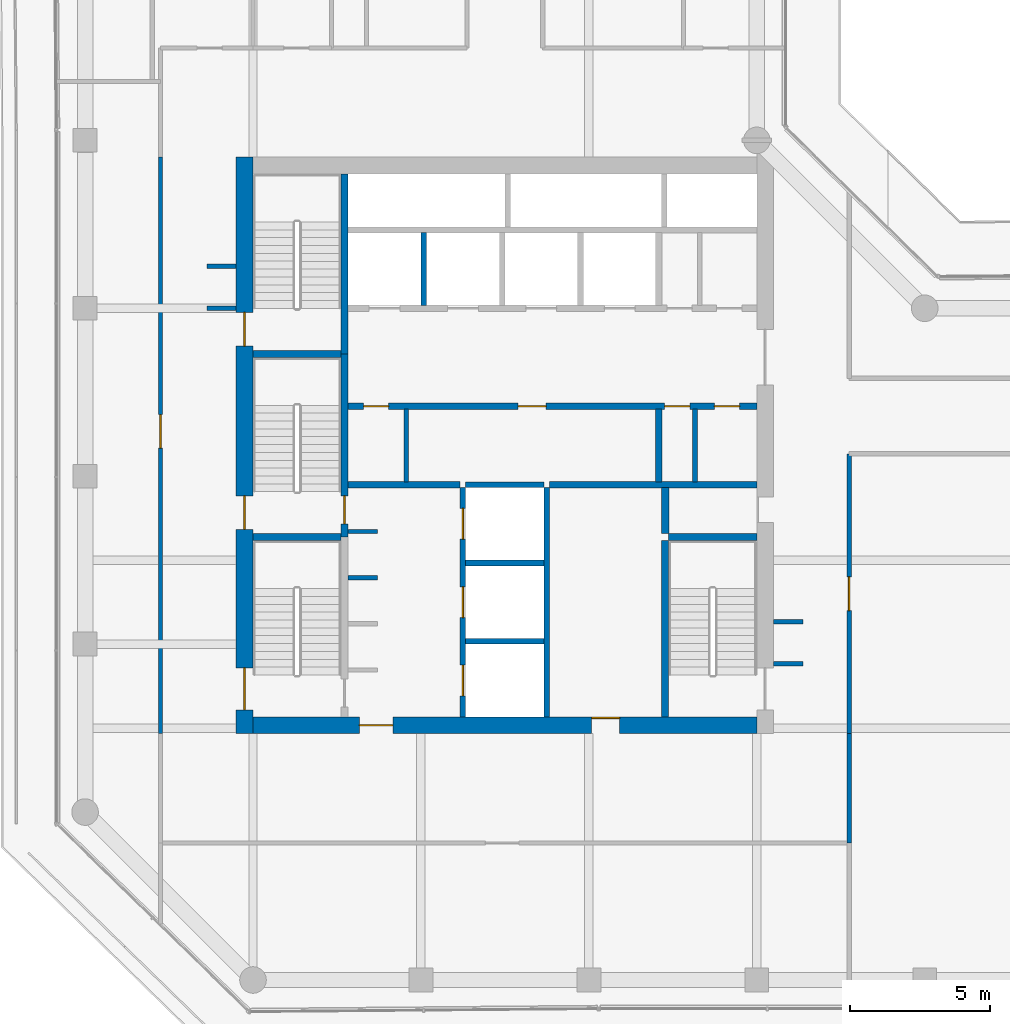
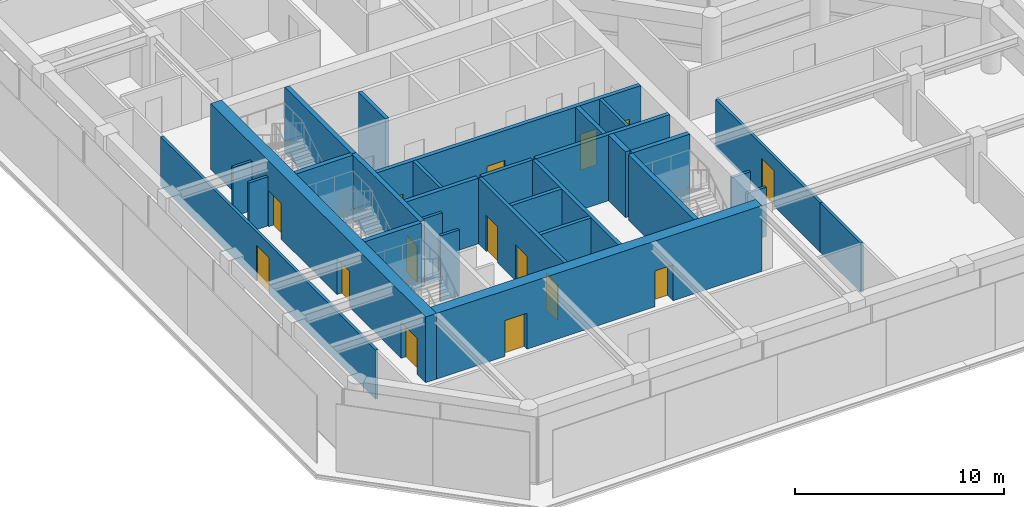
# One storey, part 15 of 19: 30 walls, 15 doors, 15 openings.
"""IFC4 building model written with IfcOpenShell, lengths in metres."""

import ifcopenshell
import ifcopenshell.guid

model = None  # the IFC model being written
_history = None  # IfcOwnerHistory: only IFC2X3 demands one
_inside = {}  # id of a spatial element -> (the spatial element, [elements in it])
_under = {}  # id of a project, library or spatial element -> (it, [spatial elements below it])
_declared = {}  # id of a project -> (the project, [libraries it declares])
_typed = {}  # id of a type object -> (the type object, [elements of that type])
_made_of = {}  # id of a material, layer set ... -> (it, [elements and type objects made of it])


def new_model(schema):
    """Start an empty IFC model of exactly this schema.

    Asked for "IFC4X3", IfcOpenShell would pick the latest addendum, in which some entities
    have other attributes; the version numbers below select the first issue.
    IFC2X3 requires an IfcOwnerHistory on every rooted entity: one is made here for all.
    """
    global model, _history
    if schema == "IFC4X3":
        model = ifcopenshell.file(schema_version=(4, 3, 0, 0))
    else:
        model = ifcopenshell.file(schema=schema)
    _inside.clear()
    _under.clear()
    _declared.clear()
    _typed.clear()
    _made_of.clear()
    _history = None
    if model.schema == "IFC2X3":
        org = make("IfcOrganization", Name="unknown")
        user = make(
            "IfcPersonAndOrganization",
            ThePerson=make("IfcPerson", FamilyName="unknown"),
            TheOrganization=org,
        )
        app = make(
            "IfcApplication",
            ApplicationDeveloper=org,
            Version="unknown",
            ApplicationFullName="unknown",
            ApplicationIdentifier="unknown",
        )
        _history = make(
            "IfcOwnerHistory",
            OwningUser=user,
            OwningApplication=app,
            ChangeAction="ADDED",
            CreationDate=0,
        )
    return model


def make(cls, **values):
    """One entity of the class cls with the attributes given. An attribute that is None is left unset."""
    return model.create_entity(
        cls, **{name: value for name, value in values.items() if value is not None}
    )


def rooted(cls, **values):
    """An entity with a GlobalId (a new one), such as an element, a storey or a relation."""
    return make(cls, GlobalId=ifcopenshell.guid.new(), OwnerHistory=_history, **values)


def si_unit(unit_type, name, prefix=None):
    """IfcSIUnit, for example si_unit("LENGTHUNIT", "METRE", prefix="MILLI")."""
    return make("IfcSIUnit", UnitType=unit_type, Prefix=prefix, Name=name)


def assignment(units):
    """IfcUnitAssignment: the units of a project."""
    return None if units is None else make("IfcUnitAssignment", Units=units)


def point(xyz):
    """IfcCartesianPoint."""
    return None if xyz is None else make("IfcCartesianPoint", Coordinates=xyz)


def direction(xyz):
    """IfcDirection."""
    return None if xyz is None else make("IfcDirection", DirectionRatios=xyz)


def frame(location, z_axis=None, x_axis=None):
    """IfcAxis2Placement3D, a coordinate frame: its origin and axes. An axis left out is left unset."""
    return make(
        "IfcAxis2Placement3D",
        Location=point(location),
        Axis=direction(z_axis),
        RefDirection=direction(x_axis),
    )


def frame_2d(location, x_axis=None):
    """IfcAxis2Placement2D, a coordinate frame in the plane: its origin and x axis."""
    return make(
        "IfcAxis2Placement2D", Location=point(location), RefDirection=direction(x_axis)
    )


def origin():
    """The frame at (0, 0, 0) with its axes left unset."""
    return frame((0.0, 0.0, 0.0))


def place(relative_to, where):
    """IfcLocalPlacement: puts the frame where relative to a parent placement (None: the world)."""
    return make(
        "IfcLocalPlacement", PlacementRelTo=relative_to, RelativePlacement=where
    )


def context(
    kind, dimensions, precision=None, world=None, true_north=None, identifier=None
):
    """IfcGeometricRepresentationContext, for example the 3D "Model" context."""
    return make(
        "IfcGeometricRepresentationContext",
        ContextIdentifier=identifier,
        ContextType=kind,
        CoordinateSpaceDimension=dimensions,
        Precision=precision,
        WorldCoordinateSystem=world,
        TrueNorth=true_north,
    )


def subcontext(parent, identifier, kind, view, scale=None):
    """IfcGeometricRepresentationSubContext, for example "Body" below "Model"."""
    return make(
        "IfcGeometricRepresentationSubContext",
        ContextIdentifier=identifier,
        ContextType=kind,
        ParentContext=parent,
        TargetScale=scale,
        TargetView=view,
    )


def project(units=None, contexts=None):
    """IfcProject with its units and contexts."""
    return rooted(
        "IfcProject",
        Name="project",
        RepresentationContexts=contexts,
        UnitsInContext=assignment(units),
    )


def spatial(cls, under=None, at=None, **own):
    """A site, building, storey or space (cls), placed at a placement, below another one or the project."""
    s = rooted(cls, ObjectPlacement=at, **own)
    if under is not None:
        _under.setdefault(under.id(), (under, []))[1].append(s)
    return s


def profile(cls, at=None, kind="AREA", **sizes):
    """A parametric profile (cls). Its sizes go by their IFC names, for example OverallWidth=200.0."""
    return make(cls, ProfileType=kind, Position=at, **sizes)


def rectangle(**sizes):
    """IfcRectangleProfileDef."""
    return profile("IfcRectangleProfileDef", **sizes)


def extrude(swept, where, along, depth):
    """IfcExtrudedAreaSolid: the profile swept, set in the frame where, extruded along a direction by depth."""
    return make(
        "IfcExtrudedAreaSolid",
        SweptArea=swept,
        Position=where,
        ExtrudedDirection=direction(along),
        Depth=depth,
    )


def shape(context_of_items, identifier, shape_type, items):
    """IfcShapeRepresentation: the items that make up one representation, for example the "Body"."""
    return make(
        "IfcShapeRepresentation",
        ContextOfItems=context_of_items,
        RepresentationIdentifier=identifier,
        RepresentationType=shape_type,
        Items=items,
    )


def material(Name=None, Category=None):
    """IfcMaterial."""
    return make("IfcMaterial", Name=Name, Category=Category)


def layer(
    of_material, thickness, ventilated=None, Name=None, Category=None, Priority=None
):
    """IfcMaterialLayer: one layer of a wall or slab, of a material (None: an air gap)."""
    return make(
        "IfcMaterialLayer",
        Material=of_material,
        LayerThickness=thickness,
        IsVentilated=ventilated,
        Name=Name,
        Category=Category,
        Priority=Priority,
    )


def layer_set(layers, Name=None):
    """IfcMaterialLayerSet."""
    return make("IfcMaterialLayerSet", MaterialLayers=layers, LayerSetName=Name)


def made_of(thing, what):
    """Note that an element or type object is made of a material, layer set ...; save() writes the relation."""
    if what is not None:
        _made_of.setdefault(what.id(), (what, []))[1].append(thing)
    return thing


def type_object(cls, material=None, **own):
    """A type object (cls), such as IfcWallType, which elements share."""
    return made_of(rooted(cls, **own), material)


def element(
    cls,
    number,
    at=None,
    inside=None,
    cuts=None,
    type_object=None,
    material=None,
    context=None,
    identifier="Body",
    shape_type=None,
    held_by="IfcProductDefinitionShape",
    body=None,
    shapes=None,
    **own,
):
    """One element of the class cls, such as IfcWall. Its Tag is "e" and its number.

    at: its placement. inside: the storey or other place that contains it. cuts: it is an
    opening in that element (IfcRelVoidsElement). A single representation is given by context,
    identifier, shape_type and body (its items); several are given by shapes. held_by: the class
    of the entity that holds the representations. save() writes the other relations.
    """
    e = rooted(cls, Tag="e%d" % number, ObjectPlacement=at, **own)
    if body is not None:
        shapes = [shape(context, identifier, shape_type, body)]
    if shapes is not None:
        e.Representation = make(held_by, Representations=shapes)
    if inside is not None:
        _inside.setdefault(inside.id(), (inside, []))[1].append(e)
    if cuts is not None:
        rooted(
            "IfcRelVoidsElement", RelatingBuildingElement=cuts, RelatedOpeningElement=e
        )
    if type_object is not None:
        _typed.setdefault(type_object.id(), (type_object, []))[1].append(e)
    return made_of(e, material)


def fill(opening, filler):
    """IfcRelFillsElement: the door or window that sits in an opening."""
    return rooted(
        "IfcRelFillsElement",
        RelatingOpeningElement=opening,
        RelatedBuildingElement=filler,
    )


def aggregate(whole, parts):
    """IfcRelAggregates: a whole, such as a stair, and the parts it consists of."""
    return rooted("IfcRelAggregates", RelatingObject=whole, RelatedObjects=parts)


def save(model, path):
    """Write the relations noted so far, then the file.

    IfcRelAggregates (storeys below a building ...), IfcRelContainedInSpatialStructure (elements
    in a storey), IfcRelDefinesByType, IfcRelAssociatesMaterial and IfcRelDeclares: one each for
    every whole, place, type object, material and project.
    """
    for whole, parts in _under.values():
        aggregate(whole, parts)
    for where, things in _inside.values():
        rooted(
            "IfcRelContainedInSpatialStructure",
            RelatedElements=things,
            RelatingStructure=where,
        )
    for kind, things in _typed.values():
        rooted("IfcRelDefinesByType", RelatedObjects=things, RelatingType=kind)
    for what, things in _made_of.values():
        rooted("IfcRelAssociatesMaterial", RelatedObjects=things, RelatingMaterial=what)
    for by, libraries in _declared.values():
        rooted("IfcRelDeclares", RelatingContext=by, RelatedDefinitions=libraries)
    model.write(path)


model = new_model("IFC4")

# Units and contexts
model_context = context("Model", 3, precision=1e-05, world=origin(), true_north=direction((0.0, 1.0)))
body_context = subcontext(model_context, "Body", "Model", "MODEL_VIEW")
ifc_project = project(units=[si_unit("LENGTHUNIT", "METRE"), si_unit("AREAUNIT", "SQUARE_METRE"), si_unit("VOLUMEUNIT", "CUBIC_METRE"), si_unit("PLANEANGLEUNIT", "RADIAN"), si_unit("MASSUNIT", "GRAM", prefix="KILO")], contexts=[model_context])

# Site, building, storey
site_placement = place(None, origin())
site = spatial("IfcSite", under=ifc_project, at=site_placement, CompositionType="ELEMENT")
building_placement = place(site_placement, origin())
building = spatial("IfcBuilding", under=site, at=building_placement, Name="Welwitschia Terrace Campus", CompositionType="ELEMENT")
storey_placement = place(building_placement, frame((0.0, 0.0, 171.800048828125)))
storey = spatial("IfcBuildingStorey", under=building, at=storey_placement, Name="L38", CompositionType="ELEMENT", Elevation=171.800048828125)

# Walls
ifc_material_1 = material(Name="Concrete C32/40", Category="concrete")
ifc_layer_1 = layer(ifc_material_1, 0.175048828125)
ifc_layer_set_1 = layer_set([ifc_layer_1], Name="Concrete C32/40")
wall_type_1 = type_object("IfcWallType", Name="Core partition 175 Concrete C32/40", PredefinedType="PARTITIONING", material=ifc_layer_set_1)
for number, where, z_axis, x_axis, name in (
    (1, (11.47509765625, 13.800048828125, 0.0), (0.0, 0.0, 1.0), (0.0, 1.0, 0.0), "Core partition"),
    (2, (21.7900390625, 13.800048828125, 0.0), (0.0, 0.0, 1.0), (0.0, 1.0, 0.0), "Core partition"),
):
    element("IfcWall", number, at=place(storey_placement, frame(where, z_axis=z_axis, x_axis=x_axis)), inside=storey, type_object=wall_type_1, Name=name, PredefinedType="PARTITIONING", context=body_context, shape_type="SweptSolid", body=[
        extrude(rectangle(XDim=2.599853515625, YDim=0.175048828125, at=frame_2d((1.2998046875, 0.0))), origin(), (0.0, 0.0, 1.0), 3.849853515625),
    ])
ifc_material_2 = material(Name="Concrete C32/40", Category="concrete")
ifc_layer_2 = layer(ifc_material_2, 0.22509765625)
ifc_layer_set_2 = layer_set([ifc_layer_2], Name="Concrete C32/40")
wall_type_2 = type_object("IfcWallType", Name="Core partition 225 Concrete C32/40", PredefinedType="PARTITIONING", material=ifc_layer_set_2)
wall_1_placement = place(storey_placement, frame((9.39990234375, 13.699951171875, 0.0), z_axis=(0.0, 0.0, 1.0), x_axis=(1.0, 0.0, 0.0)))
element("IfcWall", 3, at=wall_1_placement, inside=storey, type_object=wall_type_2, Name="Core partition", PredefinedType="PARTITIONING", context=body_context, shape_type="SweptSolid", body=[
    extrude(rectangle(XDim=4.0, YDim=0.22509765625, at=frame_2d((2.0, 0.0))), origin(), (0.0, 0.0, 1.0), 3.849853515625),
])
wall_2_placement = place(storey_placement, frame((16.60009765625, 13.699951171875, 0.0), z_axis=(0.0, 0.0, 1.0), x_axis=(1.0, 0.0, 0.0)))
element("IfcWall", 4, at=wall_2_placement, inside=storey, type_object=wall_type_2, Name="Core partition", PredefinedType="PARTITIONING", context=body_context, shape_type="SweptSolid", body=[
    extrude(rectangle(XDim=7.39990234375, YDim=0.22509765625, at=frame_2d((3.699951171875, 0.0))), origin(), (0.0, 0.0, 1.0), 3.849853515625),
])

# Wall, openings, doors
wall_3_placement = place(storey_placement, frame((9.39990234375, 16.5, 0.0), z_axis=(0.0, 0.0, 1.0), x_axis=(1.0, 0.0, 0.0)))
wall_3 = element("IfcWall", 5, at=wall_3_placement, inside=storey, type_object=wall_type_2, Name="Core partition", PredefinedType="PARTITIONING", context=body_context, shape_type="SweptSolid", body=[
    extrude(rectangle(XDim=14.60009765625, YDim=0.22509765625, at=frame_2d((7.300048828125, 0.0))), origin(), (0.0, 0.0, 1.0), 3.849853515625),
])
opening_1_placement = place(wall_3_placement, frame((0.550048828125, 0.0, 0.0)))
opening_1 = element("IfcOpeningElement", 6, at=opening_1_placement, cuts=wall_3, Name="Opening DR09", PredefinedType="OPENING", context=body_context, shape_type="SweptSolid", body=[
    extrude(rectangle(XDim=0.89990234375, YDim=2.10009765625, at=frame_2d((0.449951171875, 1.050048828125))), frame((0.0, 0.12255859375, 0.0), z_axis=(0.0, -1.0, 0.0), x_axis=(1.0, 0.0, 0.0)), (0.0, 0.0, 1.0), 0.2451171875),
])
opening_2_placement = place(wall_3_placement, frame((6.074951171875, 0.0, 0.0)))
opening_2 = element("IfcOpeningElement", 7, at=opening_2_placement, cuts=wall_3, Name="Opening DR10", PredefinedType="OPENING", context=body_context, shape_type="SweptSolid", body=[
    extrude(rectangle(XDim=1.0, YDim=2.10009765625, at=frame_2d((0.5, 1.050048828125))), frame((0.0, 0.12255859375, 0.0), z_axis=(0.0, -1.0, 0.0), x_axis=(1.0, 0.0, 0.0)), (0.0, 0.0, 1.0), 0.2451171875),
])
opening_3_placement = place(wall_3_placement, frame((11.3076171875, 0.0, 0.0)))
opening_3 = element("IfcOpeningElement", 8, at=opening_3_placement, cuts=wall_3, Name="Opening DR09", PredefinedType="OPENING", context=body_context, shape_type="SweptSolid", body=[
    extrude(rectangle(XDim=0.89990234375, YDim=2.10009765625, at=frame_2d((0.449951171875, 1.050048828125))), frame((0.0, 0.12255859375, 0.0), z_axis=(0.0, -1.0, 0.0), x_axis=(1.0, 0.0, 0.0)), (0.0, 0.0, 1.0), 0.2451171875),
])
opening_4_placement = place(wall_3_placement, frame((13.08251953125, 0.0, 0.0)))
opening_4 = element("IfcOpeningElement", 9, at=opening_4_placement, cuts=wall_3, Name="Opening DR09", PredefinedType="OPENING", context=body_context, shape_type="SweptSolid", body=[
    extrude(rectangle(XDim=0.89990234375, YDim=2.10009765625, at=frame_2d((0.449951171875, 1.050048828125))), frame((0.0, 0.12255859375, 0.0), z_axis=(0.0, -1.0, 0.0), x_axis=(1.0, 0.0, 0.0)), (0.0, 0.0, 1.0), 0.2451171875),
])
ifc_material_3 = material(Name="Steel S275", Category="steel")
door_type_1 = type_object("IfcDoorType", Name="Core door DR09", OperationType="SINGLE_SWING_LEFT", PredefinedType="DOOR", material=ifc_material_3)
door_1_placement = place(opening_1_placement, origin())
door_1 = element("IfcDoor", 10, at=door_1_placement, inside=storey, type_object=door_type_1, Name="Door BAYL1-D", OperationType="SINGLE_SWING_LEFT", OverallHeight=2.10009765625, OverallWidth=0.89990234375, PredefinedType="DOOR", context=body_context, shape_type="SweptSolid", body=[
    extrude(rectangle(XDim=0.89990234375, YDim=2.10009765625, at=frame_2d((0.449951171875, 1.050048828125))), frame((0.0, 0.02490234375, 0.0), z_axis=(0.0, -1.0, 0.0), x_axis=(1.0, 0.0, 0.0)), (0.0, 0.0, 1.0), 0.050048828125),
])
fill(opening_1, door_1)
door_2_placement = place(opening_3_placement, origin())
door_2 = element("IfcDoor", 11, at=door_2_placement, inside=storey, type_object=door_type_1, Name="Door EL1-D", OperationType="SINGLE_SWING_RIGHT", OverallHeight=2.10009765625, OverallWidth=0.89990234375, PredefinedType="DOOR", context=body_context, shape_type="SweptSolid", body=[
    extrude(rectangle(XDim=0.89990234375, YDim=2.10009765625, at=frame_2d((0.449951171875, 1.050048828125))), frame((0.0, 0.02490234375, 0.0), z_axis=(0.0, -1.0, 0.0), x_axis=(1.0, 0.0, 0.0)), (0.0, 0.0, 1.0), 0.050048828125),
])
fill(opening_3, door_2)
door_3_placement = place(opening_4_placement, origin())
door_3 = element("IfcDoor", 12, at=door_3_placement, inside=storey, type_object=door_type_1, Name="Door EL2-D", OperationType="SINGLE_SWING_RIGHT", OverallHeight=2.10009765625, OverallWidth=0.89990234375, PredefinedType="DOOR", context=body_context, shape_type="SweptSolid", body=[
    extrude(rectangle(XDim=0.89990234375, YDim=2.10009765625, at=frame_2d((0.449951171875, 1.050048828125))), frame((0.0, 0.02490234375, 0.0), z_axis=(0.0, -1.0, 0.0), x_axis=(1.0, 0.0, 0.0)), (0.0, 0.0, 1.0), 0.050048828125),
])
fill(opening_4, door_3)
ifc_material_4 = material(Name="Steel S275", Category="steel")
door_type_2 = type_object("IfcDoorType", Name="Core door DR10", OperationType="SINGLE_SWING_LEFT", PredefinedType="DOOR", material=ifc_material_4)
door_4_placement = place(opening_2_placement, origin())
door_4 = element("IfcDoor", 13, at=door_4_placement, inside=storey, type_object=door_type_2, Name="Door BAYL2-D", OperationType="SINGLE_SWING_LEFT", OverallHeight=2.10009765625, OverallWidth=1.0, PredefinedType="DOOR", context=body_context, shape_type="SweptSolid", body=[
    extrude(rectangle(XDim=1.0, YDim=2.10009765625, at=frame_2d((0.5, 1.050048828125))), frame((0.0, 0.02490234375, 0.0), z_axis=(0.0, -1.0, 0.0), x_axis=(1.0, 0.0, 0.0)), (0.0, 0.0, 1.0), 0.050048828125),
])
fill(opening_2, door_4)

# Walls
wall_4_placement = place(storey_placement, frame((20.5, 13.800048828125, 0.0), z_axis=(0.0, 0.0, 1.0), x_axis=(0.0, 1.0, 0.0)))
element("IfcWall", 14, at=wall_4_placement, inside=storey, type_object=wall_type_2, Name="Core partition", PredefinedType="PARTITIONING", context=body_context, shape_type="SweptSolid", body=[
    extrude(rectangle(XDim=2.599853515625, YDim=0.22509765625, at=frame_2d((1.2998046875, 0.0))), origin(), (0.0, 0.0, 1.0), 3.849853515625),
])
ifc_material_5 = material(Name="Concrete C32/40", Category="concrete")
ifc_layer_3 = layer(ifc_material_5, 0.27490234375)
ifc_layer_set_3 = layer_set([ifc_layer_3], Name="Concrete C32/40")
wall_type_3 = type_object("IfcWallType", Name="Core partition 275 Concrete C32/40", PredefinedType="PARTITIONING", material=ifc_layer_set_3)
wall_5_placement = place(storey_placement, frame((20.72509765625, 11.949951171875, 0.0), z_axis=(0.0, 0.0, 1.0), x_axis=(0.0, 1.0, 0.0)))
element("IfcWall", 15, at=wall_5_placement, inside=storey, type_object=wall_type_3, Name="Core partition", PredefinedType="PARTITIONING", context=body_context, shape_type="SweptSolid", body=[
    extrude(rectangle(XDim=1.650146484375, YDim=0.27490234375, at=frame_2d((0.8251953125, 0.0))), origin(), (0.0, 0.0, 1.0), 3.849853515625),
])
ifc_material_6 = material(Name="Concrete C50/60", Category="concrete")
ifc_layer_4 = layer(ifc_material_6, 0.14990234375)
ifc_layer_set_4 = layer_set([ifc_layer_4], Name="Concrete C50/60")
wall_type_4 = type_object("IfcWallType", Name="Core wall 150 Concrete C50/60", PredefinedType="SHEAR", material=ifc_layer_set_4)
for number, where, z_axis, x_axis, name in (
    (16, (9.39990234375, 10.375, 0.0), (0.0, 0.0, 1.0), (1.0, 0.0, 0.0), "Core wall"),
    (17, (9.39990234375, 12.02490234375, 0.0), (0.0, 0.0, 1.0), (1.0, 0.0, 0.0), "Core wall"),
):
    element("IfcWall", number, at=place(storey_placement, frame(where, z_axis=z_axis, x_axis=x_axis)), inside=storey, type_object=wall_type_4, Name=name, PredefinedType="SHEAR", context=body_context, shape_type="SweptSolid", body=[
        extrude(rectangle(XDim=1.050048828125, YDim=0.14990234375, at=frame_2d((0.52490234375, 0.0))), origin(), (0.0, 0.0, 1.0), 3.849853515625),
    ])
ifc_material_7 = material(Name="Concrete C50/60", Category="concrete")
ifc_layer_5 = layer(ifc_material_7, 0.199951171875)
ifc_layer_set_5 = layer_set([ifc_layer_5], Name="Concrete C50/60")
wall_type_5 = type_object("IfcWallType", Name="Core wall 200 Concrete C50/60", PredefinedType="SHEAR", material=ifc_layer_set_5)
for number, where, z_axis, x_axis, name in (
    (18, (13.60009765625, 8.10009765625, 0.0), (0.0, 0.0, 1.0), (1.0, 0.0, 0.0), "Core wall"),
    (19, (13.60009765625, 10.89990234375, 0.0), (0.0, 0.0, 1.0), (1.0, 0.0, 0.0), "Core wall"),
    (20, (13.60009765625, 13.699951171875, 0.0), (0.0, 0.0, 1.0), (1.0, 0.0, 0.0), "Core wall"),
):
    element("IfcWall", number, at=place(storey_placement, frame(where, z_axis=z_axis, x_axis=x_axis)), inside=storey, type_object=wall_type_5, Name=name, PredefinedType="SHEAR", context=body_context, shape_type="SweptSolid", body=[
        extrude(rectangle(XDim=2.7998046875, YDim=0.199951171875, at=frame_2d((1.39990234375, 0.0))), origin(), (0.0, 0.0, 1.0), 3.849853515625),
    ])

# Wall, openings, doors
wall_6_placement = place(storey_placement, frame((13.5, 5.39990234375, 0.0), z_axis=(0.0, 0.0, 1.0), x_axis=(0.0, 1.0, 0.0)))
wall_6 = element("IfcWall", 21, at=wall_6_placement, inside=storey, type_object=wall_type_5, Name="Core wall", PredefinedType="SHEAR", context=body_context, shape_type="SweptSolid", body=[
    extrude(rectangle(XDim=8.2001953125, YDim=0.199951171875, at=frame_2d((4.10009765625, 0.0))), origin(), (0.0, 0.0, 1.0), 3.849853515625),
])
opening_5_placement = place(wall_6_placement, frame((0.75, 0.0, 0.0)))
opening_5 = element("IfcOpeningElement", 22, at=opening_5_placement, cuts=wall_6, Name="Opening LD", PredefinedType="OPENING", context=body_context, shape_type="SweptSolid", body=[
    extrude(rectangle(XDim=1.10009765625, YDim=2.10009765625, at=frame_2d((0.550048828125, 1.050048828125))), frame((0.0, 0.10986328125, 0.0), z_axis=(0.0, -1.0, 0.0), x_axis=(1.0, 0.0, 0.0)), (0.0, 0.0, 1.0), 0.219970703125),
])
opening_6_placement = place(wall_6_placement, frame((3.550048828125, 0.0, 0.0)))
opening_6 = element("IfcOpeningElement", 23, at=opening_6_placement, cuts=wall_6, Name="Opening LD", PredefinedType="OPENING", context=body_context, shape_type="SweptSolid", body=[
    extrude(rectangle(XDim=1.10009765625, YDim=2.10009765625, at=frame_2d((0.550048828125, 1.050048828125))), frame((0.0, 0.10986328125, 0.0), z_axis=(0.0, -1.0, 0.0), x_axis=(1.0, 0.0, 0.0)), (0.0, 0.0, 1.0), 0.219970703125),
])
opening_7_placement = place(wall_6_placement, frame((6.35009765625, 0.0, 0.0)))
opening_7 = element("IfcOpeningElement", 24, at=opening_7_placement, cuts=wall_6, Name="Opening LD", PredefinedType="OPENING", context=body_context, shape_type="SweptSolid", body=[
    extrude(rectangle(XDim=1.10009765625, YDim=2.10009765625, at=frame_2d((0.550048828125, 1.050048828125))), frame((0.0, 0.10986328125, 0.0), z_axis=(0.0, -1.0, 0.0), x_axis=(1.0, 0.0, 0.0)), (0.0, 0.0, 1.0), 0.219970703125),
])
ifc_material_8 = material(Name="Stainless steel 304", Category="steel")
door_type_3 = type_object("IfcDoorType", Name="Lift landing door", OperationType="DOUBLE_DOOR_SLIDING", PredefinedType="DOOR", material=ifc_material_8)
door_5_placement = place(opening_5_placement, origin())
door_5 = element("IfcDoor", 25, at=door_5_placement, inside=storey, type_object=door_type_3, Name="Landing door FF1", OperationType="DOUBLE_DOOR_SLIDING", OverallHeight=2.10009765625, OverallWidth=1.10009765625, PredefinedType="DOOR", context=body_context, shape_type="SweptSolid", body=[
    extrude(rectangle(XDim=1.10009765625, YDim=2.10009765625, at=frame_2d((0.550048828125, 1.050048828125))), frame((0.0, 0.02490234375, 0.0), z_axis=(0.0, -1.0, 0.0), x_axis=(1.0, 0.0, 0.0)), (0.0, 0.0, 1.0), 0.050048828125),
])
fill(opening_5, door_5)
door_6_placement = place(opening_6_placement, origin())
door_6 = element("IfcDoor", 26, at=door_6_placement, inside=storey, type_object=door_type_3, Name="Landing door FF2", OperationType="DOUBLE_DOOR_SLIDING", OverallHeight=2.10009765625, OverallWidth=1.10009765625, PredefinedType="DOOR", context=body_context, shape_type="SweptSolid", body=[
    extrude(rectangle(XDim=1.10009765625, YDim=2.10009765625, at=frame_2d((0.550048828125, 1.050048828125))), frame((0.0, 0.02490234375, 0.0), z_axis=(0.0, -1.0, 0.0), x_axis=(1.0, 0.0, 0.0)), (0.0, 0.0, 1.0), 0.050048828125),
])
fill(opening_6, door_6)
door_7_placement = place(opening_7_placement, origin())
door_7 = element("IfcDoor", 27, at=door_7_placement, inside=storey, type_object=door_type_3, Name="Landing door SV1", OperationType="DOUBLE_DOOR_SLIDING", OverallHeight=2.10009765625, OverallWidth=1.10009765625, PredefinedType="DOOR", context=body_context, shape_type="SweptSolid", body=[
    extrude(rectangle(XDim=1.10009765625, YDim=2.10009765625, at=frame_2d((0.550048828125, 1.050048828125))), frame((0.0, 0.02490234375, 0.0), z_axis=(0.0, -1.0, 0.0), x_axis=(1.0, 0.0, 0.0)), (0.0, 0.0, 1.0), 0.050048828125),
])
fill(opening_7, door_7)

# Walls
wall_7_placement = place(storey_placement, frame((16.5, 5.39990234375, 0.0), z_axis=(0.0, 0.0, 1.0), x_axis=(0.0, 1.0, 0.0)))
element("IfcWall", 28, at=wall_7_placement, inside=storey, type_object=wall_type_5, Name="Core wall", PredefinedType="SHEAR", context=body_context, shape_type="SweptSolid", body=[
    extrude(rectangle(XDim=8.2001953125, YDim=0.199951171875, at=frame_2d((4.10009765625, 0.0))), origin(), (0.0, 0.0, 1.0), 3.849853515625),
])
ifc_material_9 = material(Name="Concrete C50/60", Category="concrete")
ifc_layer_6 = layer(ifc_material_9, 0.25)
ifc_layer_set_6 = layer_set([ifc_layer_6], Name="Concrete C50/60")
wall_type_6 = type_object("IfcWallType", Name="Core wall 250 Concrete C50/60", PredefinedType="SHEAR", material=ifc_layer_set_6)
for number, where, z_axis, x_axis, name in (
    (29, (6.0, 11.824951171875, 0.0), (0.0, 0.0, 1.0), (1.0, 0.0, 0.0), "Core wall"),
    (30, (20.85009765625, 11.824951171875, 0.0), (0.0, 0.0, 1.0), (1.0, 0.0, 0.0), "Core wall"),
    (31, (6.0, 18.375, 0.0), (0.0, 0.0, 1.0), (1.0, 0.0, 0.0), "Core wall"),
):
    element("IfcWall", number, at=place(storey_placement, frame(where, z_axis=z_axis, x_axis=x_axis)), inside=storey, type_object=wall_type_6, Name=name, PredefinedType="SHEAR", context=body_context, shape_type="SweptSolid", body=[
        extrude(rectangle(XDim=3.14990234375, YDim=0.25, at=frame_2d((1.574951171875, 0.0))), origin(), (0.0, 0.0, 1.0), 3.849853515625),
    ])

# Wall, opening, door
wall_8_placement = place(storey_placement, frame((9.27490234375, 18.375, 0.0), z_axis=(0.0, 0.0, 1.0), x_axis=(0.0, -1.0, 0.0)))
wall_8 = element("IfcWall", 32, at=wall_8_placement, inside=storey, type_object=wall_type_6, Name="Core wall", PredefinedType="SHEAR", context=body_context, shape_type="SweptSolid", body=[
    extrude(rectangle(XDim=6.550048828125, YDim=0.25, at=frame_2d((3.27490234375, 0.0))), origin(), (0.0, 0.0, 1.0), 3.849853515625),
])
opening_8_placement = place(wall_8_placement, frame((5.074951171875, 0.0, 0.0)))
opening_8 = element("IfcOpeningElement", 33, at=opening_8_placement, cuts=wall_8, Name="Opening DS10", PredefinedType="OPENING", context=body_context, shape_type="SweptSolid", body=[
    extrude(rectangle(XDim=1.0, YDim=2.10009765625, at=frame_2d((0.5, 1.050048828125))), frame((0.0, 0.135009765625, 0.0), z_axis=(0.0, -1.0, 0.0), x_axis=(1.0, 0.0, 0.0)), (0.0, 0.0, 1.0), 0.27001953125),
])
ifc_material_10 = material(Name="Steel S275", Category="steel")
door_type_4 = type_object("IfcDoorType", Name="Core door DS10", OperationType="SINGLE_SWING_LEFT", PredefinedType="DOOR", material=ifc_material_10)
door_8_placement = place(opening_8_placement, origin())
door_8 = element("IfcDoor", 34, at=door_8_placement, inside=storey, type_object=door_type_4, Name="Door S3-FL", OperationType="SINGLE_SWING_RIGHT", OverallHeight=2.10009765625, OverallWidth=1.0, PredefinedType="DOOR", context=body_context, shape_type="SweptSolid", body=[
    extrude(rectangle(XDim=1.0, YDim=2.10009765625, at=frame_2d((0.5, 1.050048828125))), frame((0.0, 0.02490234375, 0.0), z_axis=(0.0, -1.0, 0.0), x_axis=(1.0, 0.0, 0.0)), (0.0, 0.0, 1.0), 0.050048828125),
])
fill(opening_8, door_8)

# Walls
wall_9_placement = place(storey_placement, frame((9.27490234375, 18.375, 0.0), z_axis=(0.0, 0.0, 1.0), x_axis=(0.0, 1.0, 0.0)))
element("IfcWall", 35, at=wall_9_placement, inside=storey, type_object=wall_type_6, Name="Core wall", PredefinedType="SHEAR", context=body_context, shape_type="SweptSolid", body=[
    extrude(rectangle(XDim=6.425048828125, YDim=0.25, at=frame_2d((3.21240234375, 0.0))), origin(), (0.0, 0.0, 1.0), 3.849853515625),
])
wall_10_placement = place(storey_placement, frame((20.72509765625, 5.39990234375, 0.0), z_axis=(0.0, 0.0, 1.0), x_axis=(0.0, 1.0, 0.0)))
element("IfcWall", 36, at=wall_10_placement, inside=storey, type_object=wall_type_6, Name="Core wall", PredefinedType="SHEAR", context=body_context, shape_type="SweptSolid", body=[
    extrude(rectangle(XDim=6.300048828125, YDim=0.25, at=frame_2d((3.14990234375, 0.0))), origin(), (0.0, 0.0, 1.0), 3.849853515625),
])

# Wall, openings, doors
ifc_material_11 = material(Name="Concrete C60/75", Category="concrete")
ifc_layer_7 = layer(ifc_material_11, 0.60009765625)
ifc_layer_set_7 = layer_set([ifc_layer_7], Name="Concrete C60/75")
wall_type_7 = type_object("IfcWallType", Name="Core wall 600 Concrete C60/75", PredefinedType="SHEAR", material=ifc_layer_set_7)
wall_11_placement = place(storey_placement, frame((5.699951171875, 4.800048828125, 0.0), z_axis=(0.0, 0.0, 1.0), x_axis=(0.0, 1.0, 0.0)))
wall_11 = element("IfcWall", 37, at=wall_11_placement, inside=storey, type_object=wall_type_7, Name="Core outer wall", PredefinedType="SHEAR", context=body_context, shape_type="SweptSolid", body=[
    extrude(rectangle(XDim=20.599853515625, YDim=0.60009765625, at=frame_2d((10.2998046875, 0.0))), origin(), (0.0, 0.0, 1.0), 3.849853515625),
])
opening_9_placement = place(wall_11_placement, frame((0.85009765625, 0.0, 0.0)))
opening_9 = element("IfcOpeningElement", 38, at=opening_9_placement, cuts=wall_11, Name="Opening DS15", PredefinedType="OPENING", context=body_context, shape_type="SweptSolid", body=[
    extrude(rectangle(XDim=1.5, YDim=2.10009765625, at=frame_2d((0.75, 1.050048828125))), frame((0.0, 0.31005859375, 0.0), z_axis=(0.0, -1.0, 0.0), x_axis=(1.0, 0.0, 0.0)), (0.0, 0.0, 1.0), 0.6201171875),
])
opening_10_placement = place(wall_11_placement, frame((7.300048828125, 0.0, 0.0)))
opening_10 = element("IfcOpeningElement", 39, at=opening_10_placement, cuts=wall_11, Name="Opening DS12", PredefinedType="OPENING", context=body_context, shape_type="SweptSolid", body=[
    extrude(rectangle(XDim=1.199951171875, YDim=2.10009765625, at=frame_2d((0.60009765625, 1.050048828125))), frame((0.0, 0.31005859375, 0.0), z_axis=(0.0, -1.0, 0.0), x_axis=(1.0, 0.0, 0.0)), (0.0, 0.0, 1.0), 0.6201171875),
])
opening_11_placement = place(wall_11_placement, frame((13.85009765625, 0.0, 0.0)))
opening_11 = element("IfcOpeningElement", 40, at=opening_11_placement, cuts=wall_11, Name="Opening DS12", PredefinedType="OPENING", context=body_context, shape_type="SweptSolid", body=[
    extrude(rectangle(XDim=1.199951171875, YDim=2.10009765625, at=frame_2d((0.60009765625, 1.050048828125))), frame((0.0, 0.31005859375, 0.0), z_axis=(0.0, -1.0, 0.0), x_axis=(1.0, 0.0, 0.0)), (0.0, 0.0, 1.0), 0.6201171875),
])
ifc_material_12 = material(Name="Steel S275", Category="steel")
door_type_5 = type_object("IfcDoorType", Name="Core door DS12", OperationType="SINGLE_SWING_LEFT", PredefinedType="DOOR", material=ifc_material_12)
door_9_placement = place(opening_10_placement, origin())
door_9 = element("IfcDoor", 41, at=door_9_placement, inside=storey, type_object=door_type_5, Name="Door S3-out", OperationType="SINGLE_SWING_LEFT", OverallHeight=2.10009765625, OverallWidth=1.199951171875, PredefinedType="DOOR", context=body_context, shape_type="SweptSolid", body=[
    extrude(rectangle(XDim=1.199951171875, YDim=2.10009765625, at=frame_2d((0.60009765625, 1.050048828125))), frame((0.0, 0.02490234375, 0.0), z_axis=(0.0, -1.0, 0.0), x_axis=(1.0, 0.0, 0.0)), (0.0, 0.0, 1.0), 0.050048828125),
])
fill(opening_10, door_9)
door_10_placement = place(opening_11_placement, origin())
door_10 = element("IfcDoor", 42, at=door_10_placement, inside=storey, type_object=door_type_5, Name="Door S4-out", OperationType="SINGLE_SWING_RIGHT", OverallHeight=2.10009765625, OverallWidth=1.199951171875, PredefinedType="DOOR", context=body_context, shape_type="SweptSolid", body=[
    extrude(rectangle(XDim=1.199951171875, YDim=2.10009765625, at=frame_2d((0.60009765625, 1.050048828125))), frame((0.0, 0.02490234375, 0.0), z_axis=(0.0, -1.0, 0.0), x_axis=(1.0, 0.0, 0.0)), (0.0, 0.0, 1.0), 0.050048828125),
])
fill(opening_11, door_10)
ifc_material_13 = material(Name="Steel S275", Category="steel")
door_type_6 = type_object("IfcDoorType", Name="Core door DS15", OperationType="DOUBLE_DOOR_SINGLE_SWING", PredefinedType="DOOR", material=ifc_material_13)
door_11_placement = place(opening_9_placement, origin())
door_11 = element("IfcDoor", 43, at=door_11_placement, inside=storey, type_object=door_type_6, Name="Door S1-out", OperationType="DOUBLE_DOOR_SINGLE_SWING", OverallHeight=2.10009765625, OverallWidth=1.5, PredefinedType="DOOR", context=body_context, shape_type="SweptSolid", body=[
    extrude(rectangle(XDim=1.5, YDim=2.10009765625, at=frame_2d((0.75, 1.050048828125))), frame((0.0, 0.02490234375, 0.0), z_axis=(0.0, -1.0, 0.0), x_axis=(1.0, 0.0, 0.0)), (0.0, 0.0, 1.0), 0.050048828125),
])
fill(opening_9, door_11)

wall_12_placement = place(storey_placement, frame((24.0, 5.10009765625, 0.0), z_axis=(0.0, 0.0, 1.0), x_axis=(-1.0, 0.0, 0.0)))
wall_12 = element("IfcWall", 44, at=wall_12_placement, inside=storey, type_object=wall_type_7, Name="Core outer wall", PredefinedType="SHEAR", context=body_context, shape_type="SweptSolid", body=[
    extrude(rectangle(XDim=18.0, YDim=0.60009765625, at=frame_2d((9.0, 0.0))), origin(), (0.0, 0.0, 1.0), 3.849853515625),
])
opening_12_placement = place(wall_12_placement, frame((13.0, 0.0, 0.0)))
opening_12 = element("IfcOpeningElement", 45, at=opening_12_placement, cuts=wall_12, Name="Opening DF12", PredefinedType="OPENING", context=body_context, shape_type="SweptSolid", body=[
    extrude(rectangle(XDim=1.199951171875, YDim=2.10009765625, at=frame_2d((0.60009765625, 1.050048828125))), frame((0.0, 0.31005859375, 0.0), z_axis=(0.0, -1.0, 0.0), x_axis=(1.0, 0.0, 0.0)), (0.0, 0.0, 1.0), 0.6201171875),
])
opening_13_placement = place(wall_12_placement, frame((4.89990234375, 0.0, 0.0)))
opening_13 = element("IfcOpeningElement", 46, at=opening_13_placement, cuts=wall_12, Name="Opening DR10", PredefinedType="OPENING", context=body_context, shape_type="SweptSolid", body=[
    extrude(rectangle(XDim=1.0, YDim=2.10009765625, at=frame_2d((0.5, 1.050048828125))), frame((0.0, 0.31005859375, 0.0), z_axis=(0.0, -1.0, 0.0), x_axis=(1.0, 0.0, 0.0)), (0.0, 0.0, 1.0), 0.6201171875),
])
ifc_material_14 = material(Name="Steel S275", Category="steel")
door_type_7 = type_object("IfcDoorType", Name="Core door DF12", OperationType="SINGLE_SWING_LEFT", PredefinedType="DOOR", material=ifc_material_14)
door_12_placement = place(opening_12_placement, origin())
door_12 = element("IfcDoor", 47, at=door_12_placement, inside=storey, type_object=door_type_7, Name="Door FL-out", OperationType="SINGLE_SWING_RIGHT", OverallHeight=2.10009765625, OverallWidth=1.199951171875, PredefinedType="DOOR", context=body_context, shape_type="SweptSolid", body=[
    extrude(rectangle(XDim=1.199951171875, YDim=2.10009765625, at=frame_2d((0.60009765625, 1.050048828125))), frame((0.0, 0.02490234375, 0.0), z_axis=(0.0, -1.0, 0.0), x_axis=(1.0, 0.0, 0.0)), (0.0, 0.0, 1.0), 0.050048828125),
])
fill(opening_12, door_12)
door_13_placement = place(opening_13_placement, origin())
door_13 = element("IfcDoor", 48, at=door_13_placement, inside=storey, type_object=door_type_2, Name="Door F1-out", OperationType="SINGLE_SWING_LEFT", OverallHeight=2.10009765625, OverallWidth=1.0, PredefinedType="DOOR", context=body_context, shape_type="SweptSolid", body=[
    extrude(rectangle(XDim=1.0, YDim=2.10009765625, at=frame_2d((0.5, 1.050048828125))), frame((0.0, -0.23974609375, 0.0), z_axis=(0.0, -1.0, 0.0), x_axis=(1.0, 0.0, 0.0)), (0.0, 0.0, 1.0), 0.050048828125),
])
fill(opening_13, door_13)

# Wall, opening, door
ifc_material_15 = material(Name="Gypsum board on steel studs", Category="steel")
ifc_layer_8 = layer(ifc_material_15, 0.14990234375)
ifc_layer_set_8 = layer_set([ifc_layer_8], Name="Gypsum board on steel studs")
wall_type_8 = type_object("IfcWallType", Name="Corridor partition 150 EI 30", PredefinedType="PARTITIONING", material=ifc_layer_set_8)
wall_13_placement = place(storey_placement, frame((2.699951171875, 4.800048828125, 0.0), z_axis=(0.0, 0.0, 1.0), x_axis=(0.0, 1.0, 0.0)))
wall_13 = element("IfcWall", 49, at=wall_13_placement, inside=storey, type_object=wall_type_8, Name="Partition", PredefinedType="PARTITIONING", context=body_context, shape_type="SweptSolid", body=[
    extrude(rectangle(XDim=20.599853515625, YDim=0.14990234375, at=frame_2d((10.2998046875, 0.0))), origin(), (0.0, 0.0, 1.0), 2.8798828125),
])
opening_14_placement = place(wall_13_placement, frame((10.199951171875, 0.0, 0.0)))
opening_14 = element("IfcOpeningElement", 50, at=opening_14_placement, cuts=wall_13, Name="Opening DI12", PredefinedType="OPENING", context=body_context, shape_type="SweptSolid", body=[
    extrude(rectangle(XDim=1.199951171875, YDim=2.10009765625, at=frame_2d((0.60009765625, 1.050048828125))), frame((0.0, 0.0849609375, 0.0), z_axis=(0.0, -1.0, 0.0), x_axis=(1.0, 0.0, 0.0)), (0.0, 0.0, 1.0), 0.169921875),
])
ifc_material_16 = material(Name="Timber veneered door", Category="wood")
door_type_8 = type_object("IfcDoorType", Name="Interior door DI12", OperationType="NOTDEFINED", PredefinedType="DOOR", material=ifc_material_16)
door_14_placement = place(opening_14_placement, origin())
door_14 = element("IfcDoor", 51, at=door_14_placement, inside=storey, type_object=door_type_8, Name="Door L38 758", OperationType="SINGLE_SWING_LEFT", OverallHeight=2.10009765625, OverallWidth=1.199951171875, PredefinedType="DOOR", context=body_context, shape_type="SweptSolid", body=[
    extrude(rectangle(XDim=1.199951171875, YDim=2.10009765625, at=frame_2d((0.60009765625, 1.050048828125))), frame((0.0, 0.02490234375, 0.0), z_axis=(0.0, -1.0, 0.0), x_axis=(1.0, 0.0, 0.0)), (0.0, 0.0, 1.0), 0.050048828125),
])
fill(opening_14, door_14)

# Walls
for number, where, z_axis, x_axis, name in (
    (52, (4.35009765625, 20.0, 0.0), (0.0, 0.0, 1.0), (1.0, 0.0, 0.0), "Partition"),
    (53, (4.35009765625, 21.5, 0.0), (0.0, 0.0, 1.0), (1.0, 0.0, 0.0), "Partition"),
    (54, (24.60009765625, 7.300048828125, 0.0), (0.0, 0.0, 1.0), (1.0, 0.0, 0.0), "Partition"),
    (55, (24.60009765625, 8.800048828125, 0.0), (0.0, 0.0, 1.0), (1.0, 0.0, 0.0), "Partition"),
):
    element("IfcWall", number, at=place(storey_placement, frame(where, z_axis=z_axis, x_axis=x_axis)), inside=storey, type_object=wall_type_8, Name=name, PredefinedType="PARTITIONING", context=body_context, shape_type="SweptSolid", body=[
        extrude(rectangle(XDim=1.0498046875, YDim=0.14990234375, at=frame_2d((0.52490234375, 0.0))), origin(), (0.0, 0.0, 1.0), 2.8798828125),
    ])
wall_14_placement = place(storey_placement, frame((27.300048828125, 0.89990234375, 0.0), z_axis=(0.0, 0.0, 1.0), x_axis=(0.0, 1.0, 0.0)))
element("IfcWall", 56, at=wall_14_placement, inside=storey, type_object=wall_type_8, Name="Partition", PredefinedType="PARTITIONING", context=body_context, shape_type="SweptSolid", body=[
    extrude(rectangle(XDim=3.900146484375, YDim=0.14990234375, at=frame_2d((1.9501953125, 0.0))), origin(), (0.0, 0.0, 1.0), 2.8798828125),
])

# Wall, opening, door
wall_15_placement = place(storey_placement, frame((27.300048828125, 4.800048828125, 0.0), z_axis=(0.0, 0.0, 1.0), x_axis=(0.0, 1.0, 0.0)))
wall_15 = element("IfcWall", 57, at=wall_15_placement, inside=storey, type_object=wall_type_8, Name="Partition", PredefinedType="PARTITIONING", context=body_context, shape_type="SweptSolid", body=[
    extrude(rectangle(XDim=10.0, YDim=0.14990234375, at=frame_2d((5.0, 0.0))), origin(), (0.0, 0.0, 1.0), 2.8798828125),
])
opening_15_placement = place(wall_15_placement, frame((4.39990234375, 0.0, 0.0)))
opening_15 = element("IfcOpeningElement", 58, at=opening_15_placement, cuts=wall_15, Name="Opening DI12", PredefinedType="OPENING", context=body_context, shape_type="SweptSolid", body=[
    extrude(rectangle(XDim=1.199951171875, YDim=2.10009765625, at=frame_2d((0.60009765625, 1.050048828125))), frame((0.0, 0.0849609375, 0.0), z_axis=(0.0, -1.0, 0.0), x_axis=(1.0, 0.0, 0.0)), (0.0, 0.0, 1.0), 0.169921875),
])
door_15_placement = place(opening_15_placement, origin())
door_15 = element("IfcDoor", 59, at=door_15_placement, inside=storey, type_object=door_type_8, Name="Door L38 772", OperationType="SINGLE_SWING_LEFT", OverallHeight=2.10009765625, OverallWidth=1.199951171875, PredefinedType="DOOR", context=body_context, shape_type="SweptSolid", body=[
    extrude(rectangle(XDim=1.199951171875, YDim=2.10009765625, at=frame_2d((0.60009765625, 1.050048828125))), frame((0.0, 0.02490234375, 0.0), z_axis=(0.0, -1.0, 0.0), x_axis=(1.0, 0.0, 0.0)), (0.0, 0.0, 1.0), 0.050048828125),
])
fill(opening_15, door_15)

# Wall
ifc_material_17 = material(Name="Concrete C32/40", Category="concrete")
ifc_layer_9 = layer(ifc_material_17, 0.199951171875)
ifc_layer_set_9 = layer_set([ifc_layer_9], Name="Concrete C32/40")
wall_type_9 = type_object("IfcWallType", Name="Shaft wall 200 Concrete C32/40", PredefinedType="SOLIDWALL", material=ifc_layer_set_9)
wall_16_placement = place(storey_placement, frame((12.10009765625, 20.10009765625, 0.0), z_axis=(0.0, 0.0, 1.0), x_axis=(0.0, 1.0, 0.0)))
element("IfcWall", 60, at=wall_16_placement, inside=storey, type_object=wall_type_9, Name="Shaft wall", PredefinedType="SOLIDWALL", context=body_context, shape_type="SweptSolid", body=[
    extrude(rectangle(XDim=2.599853515625, YDim=0.199951171875, at=frame_2d((1.2998046875, 0.0))), origin(), (0.0, 0.0, 1.0), 3.849853515625),
])

save(model, "model.ifc")
